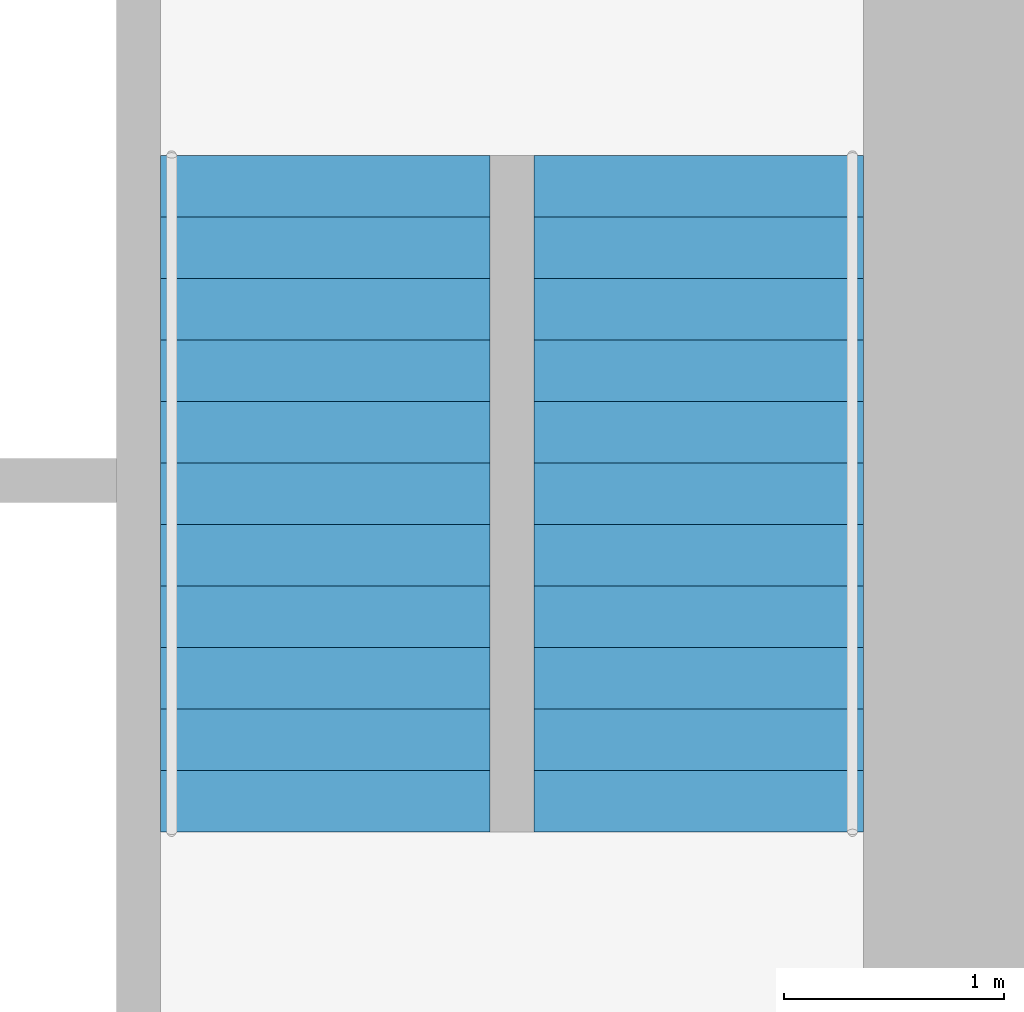
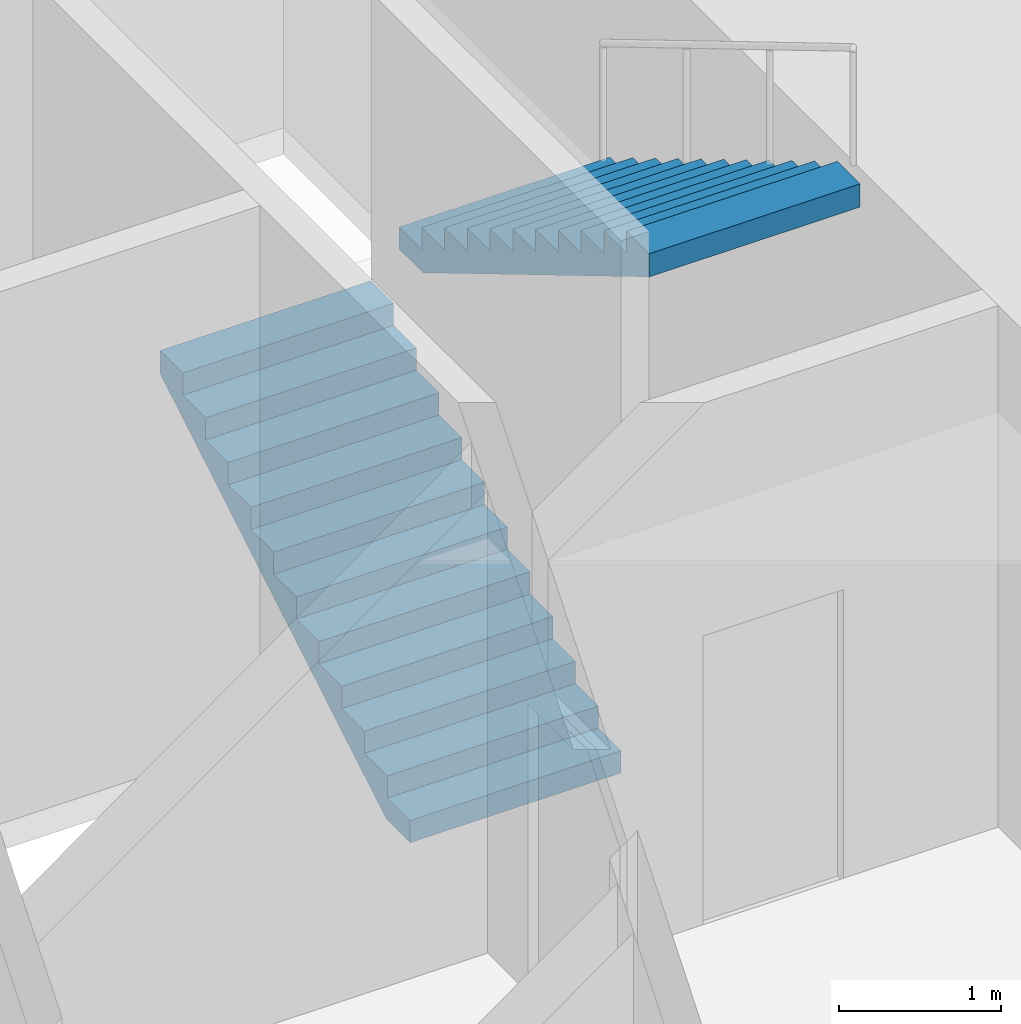
# One storey, part 14 of 18: 2 stair flights, 1 element without a shape of its own.
"""IFC4 building model written with IfcOpenShell, lengths in metres."""

from ifc_helpers import new_model, si_unit, direction, frame, origin, place, context, subcontext, project, spatial, polyline, outline, extrude, material, type_object, element, aggregate, save


model = new_model("IFC4")

# Units and contexts
model_context = context("Model", 3, precision=1e-05, world=origin(), true_north=direction((0.0, 1.0)))
body_context = subcontext(model_context, "Body", "Model", "MODEL_VIEW")
ifc_project = project(units=[si_unit("LENGTHUNIT", "METRE"), si_unit("AREAUNIT", "SQUARE_METRE"), si_unit("VOLUMEUNIT", "CUBIC_METRE"), si_unit("PLANEANGLEUNIT", "RADIAN"), si_unit("MASSUNIT", "GRAM", prefix="KILO")], contexts=[model_context])

# Site, building, storey
site_placement = place(None, origin())
site = spatial("IfcSite", under=ifc_project, at=site_placement, CompositionType="ELEMENT")
building_placement = place(site_placement, origin())
building = spatial("IfcBuilding", under=site, at=building_placement, Name="Svetlomir Tower", CompositionType="ELEMENT")
storey_placement = place(building_placement, frame((0.0, 0.0, 46.5)))
storey = spatial("IfcBuildingStorey", under=building, at=storey_placement, Name="L10", CompositionType="ELEMENT", Elevation=46.5)

# Stair, stair flights
ifc_material_1 = material(Name="Concrete C60/75", Category="concrete")
stair_type = type_object("IfcStairType", Name="EXIT STAIR 3200 RISE 4000", PredefinedType="HALF_TURN_STAIR", material=ifc_material_1)
stair_placement = place(storey_placement, origin())
stair = element("IfcStair", 1, at=stair_placement, inside=storey, type_object=stair_type, Name="Stair S2 L10 to L11", PredefinedType="HALF_TURN_STAIR")
ifc_material_2 = material(Name="Concrete C60/75", Category="concrete")
stair_flight_type = type_object("IfcStairFlightType", Name="STAIR FLIGHT 1500 OF 12 RISERS", PredefinedType="STRAIGHT", material=ifc_material_2)
stair_flight_1_placement = place(storey_placement, frame((26.949951171875, 22.300048828125, 0.0), z_axis=(0.0, 0.0, 1.0), x_axis=(0.0, 1.0, 0.0)))
stair_flight_1 = element("IfcStairFlight", 2, at=stair_flight_1_placement, type_object=stair_flight_type, Name="S2 flight 1", NumberOfRisers=12, NumberOfTreads=11, PredefinedType="STRAIGHT", RiserHeight=0.166666667, TreadLength=0.28, context=body_context, shape_type="SweptSolid", body=[
    extrude(outline(polyline([(0.0, 0.0), (0.0, 0.166748046875), (0.280029296875, 0.166748046875), (0.280029296875, 0.333251953125), (0.56005859375, 0.333251953125), (0.56005859375, 0.5), (0.840087890625, 0.5), (0.840087890625, 0.666748046875), (1.1201171875, 0.666748046875), (1.1201171875, 0.833251953125), (1.39990234375, 0.833251953125), (1.39990234375, 1.0), (1.679931640625, 1.0), (1.679931640625, 1.166748046875), (1.9599609375, 1.166748046875), (1.9599609375, 1.333251953125), (2.239990234375, 1.333251953125), (2.239990234375, 1.5), (2.52001953125, 1.5), (2.52001953125, 1.666748046875), (2.800048828125, 1.666748046875), (2.800048828125, 1.833251953125), (3.080078125, 1.833251953125), (3.080078125, 2.0), (3.080078125, 1.658935546875), (0.29296875, 0.0), (0.0, 0.0)])), frame((0.0, 0.75, 0.0), z_axis=(0.0, -1.0, 0.0), x_axis=(1.0, 0.0, 0.0)), (0.0, 0.0, 1.0), 1.5),
])
stair_flight_2_placement = place(storey_placement, frame((28.64990234375, 25.3798828125, 2.0), z_axis=(0.0, 0.0, 1.0), x_axis=(0.0, -1.0, 0.0)))
stair_flight_2 = element("IfcStairFlight", 3, at=stair_flight_2_placement, type_object=stair_flight_type, Name="S2 flight 2", NumberOfRisers=12, NumberOfTreads=11, PredefinedType="STRAIGHT", RiserHeight=0.166666667, TreadLength=0.28, context=body_context, shape_type="SweptSolid", body=[
    extrude(outline(polyline([(0.0, 0.0), (0.0, 0.166748046875), (0.280029296875, 0.166748046875), (0.280029296875, 0.333251953125), (0.56005859375, 0.333251953125), (0.56005859375, 0.5), (0.840087890625, 0.5), (0.840087890625, 0.666748046875), (1.1201171875, 0.666748046875), (1.1201171875, 0.833251953125), (1.39990234375, 0.833251953125), (1.39990234375, 1.0), (1.679931640625, 1.0), (1.679931640625, 1.166748046875), (1.9599609375, 1.166748046875), (1.9599609375, 1.333251953125), (2.239990234375, 1.333251953125), (2.239990234375, 1.5), (2.52001953125, 1.5), (2.52001953125, 1.666748046875), (2.800048828125, 1.666748046875), (2.800048828125, 1.833251953125), (3.080078125, 1.833251953125), (3.080078125, 2.0), (3.080078125, 1.658935546875), (0.29296875, 0.0), (0.0, 0.0)])), frame((0.0, 0.75, 0.0), z_axis=(0.0, -1.0, 0.0), x_axis=(1.0, 0.0, 0.0)), (0.0, 0.0, 1.0), 1.5),
])
aggregate(stair, [stair_flight_1, stair_flight_2])

save(model, "model.ifc")
